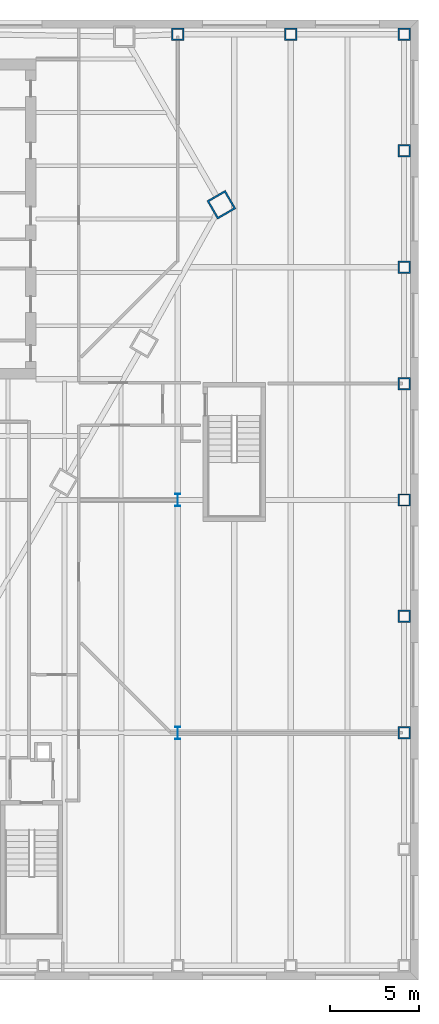
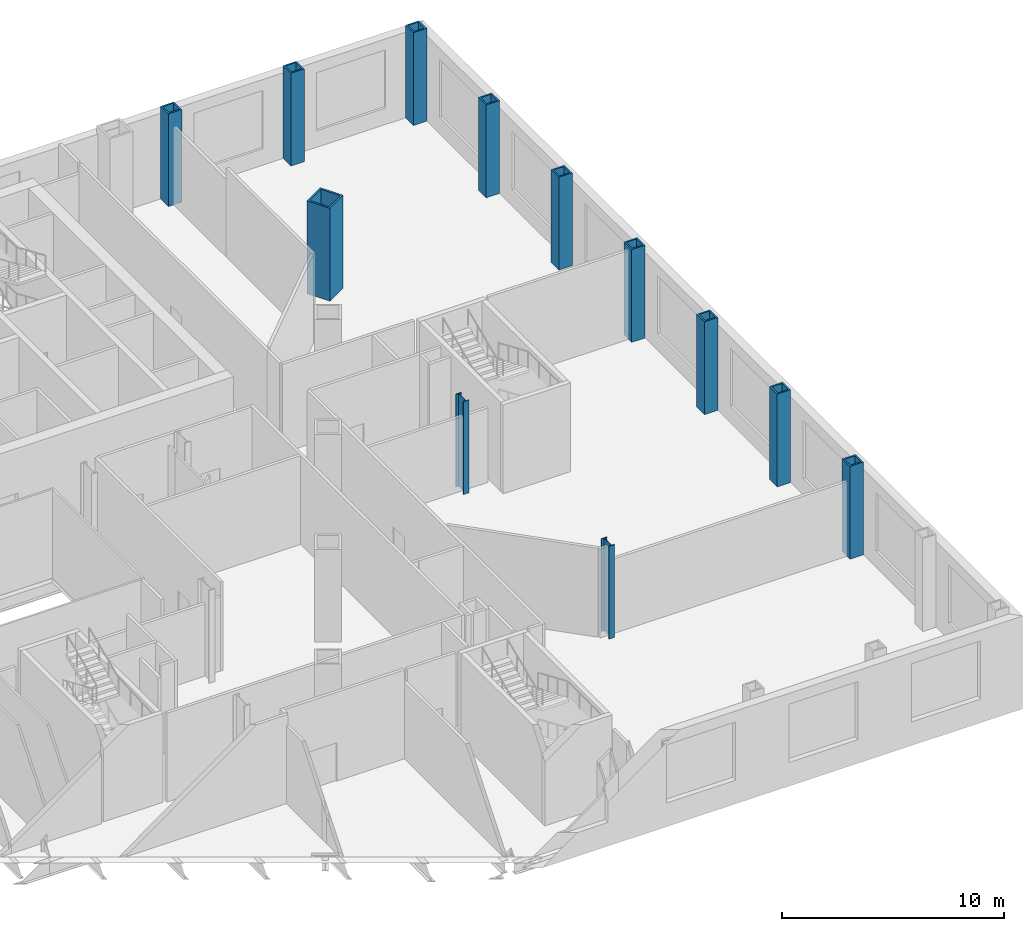
# One storey, part 3 of 20: 12 columns.
"""IFC4 building model written with IfcOpenShell, lengths in metres."""

from ifc_helpers import new_model, si_unit, direction, frame, origin, origin_2d, place, context, subcontext, project, spatial, hollow_rectangle, i_section, extrude, material, material_profile, profile_set, type_object, element, save


model = new_model("IFC4")

# Units and contexts
model_context = context("Model", 3, precision=1e-05, world=origin(), true_north=direction((0.0, 1.0)))
body_context = subcontext(model_context, "Body", "Model", "MODEL_VIEW")
ifc_project = project(units=[si_unit("LENGTHUNIT", "METRE"), si_unit("AREAUNIT", "SQUARE_METRE"), si_unit("VOLUMEUNIT", "CUBIC_METRE"), si_unit("PLANEANGLEUNIT", "RADIAN"), si_unit("MASSUNIT", "GRAM", prefix="KILO")], contexts=[model_context])

# Site, building, storey
site_placement = place(None, origin())
site = spatial("IfcSite", under=ifc_project, at=site_placement, CompositionType="ELEMENT")
building_placement = place(site_placement, origin())
building = spatial("IfcBuilding", under=site, at=building_placement, Name="Njiva Tower", CompositionType="ELEMENT")
storey_placement = place(building_placement, frame((0.0, 0.0, 18.6)))
storey = spatial("IfcBuildingStorey", under=building, at=storey_placement, Name="L03", CompositionType="ELEMENT", Elevation=18.6)

# Columns
ifc_material = material(Name="Steel S355 J2", Category="steel")
ifc_material_profile_1 = material_profile(ifc_material, hollow_rectangle(XDim=1.2, YDim=1.2, WallThickness=0.1, at=origin_2d()), Name="BOX 1200x1200x100")
ifc_profile_set_1 = profile_set([ifc_material_profile_1], Name="Steel S355 J2")
column_type_1 = type_object("IfcColumnType", Name="C1 Mega-column BOX 1200x1200x100", PredefinedType="COLUMN", material=ifc_profile_set_1)
column_placement = place(storey_placement, frame((27.923, 9.808, 0.0), z_axis=(0.0, 0.0, 1.0), x_axis=(-0.5, 0.866025403784, 0.0)))
element("IfcColumn", 1, at=column_placement, inside=storey, type_object=column_type_1, Name="Mega-column L03-C18", PredefinedType="COLUMN", context=body_context, shape_type="SweptSolid", body=[
    extrude(hollow_rectangle(XDim=1.2, YDim=1.2, WallThickness=0.1, at=origin_2d()), origin(), (0.0, 0.0, 1.0), 5.1),
])
ifc_material_profile_2 = material_profile(ifc_material, hollow_rectangle(XDim=0.7, YDim=0.7, WallThickness=0.08, at=origin_2d()), Name="BOX 700x700x80")
ifc_profile_set_2 = profile_set([ifc_material_profile_2], Name="Steel S355 J2")
column_type_2 = type_object("IfcColumnType", Name="C3 Podium perimeter column BOX 700x700x80", PredefinedType="COLUMN", material=ifc_profile_set_2)
for number, where, z_axis, x_axis, name in (
    (2, (38.2, -19.9, 0.0), (0.0, 0.0, 1.0), (0.0, 1.0, 0.0), "Podium perimeter column L03-C29"),
    (3, (38.2, -13.35, 0.0), (0.0, 0.0, 1.0), (0.0, 1.0, 0.0), "Podium perimeter column L03-C30"),
    (4, (38.2, -6.8, 0.0), (0.0, 0.0, 1.0), (0.0, 1.0, 0.0), "Podium perimeter column L03-C31"),
    (5, (38.2, -0.25, 0.0), (0.0, 0.0, 1.0), (0.0, 1.0, 0.0), "Podium perimeter column L03-C32"),
    (6, (38.2, 6.3, 0.0), (0.0, 0.0, 1.0), (0.0, 1.0, 0.0), "Podium perimeter column L03-C33"),
    (7, (38.2, 12.85, 0.0), (0.0, 0.0, 1.0), (0.0, 1.0, 0.0), "Podium perimeter column L03-C34"),
    (8, (38.2, 19.4, 0.0), (0.0, 0.0, 1.0), (-1.0, 0.0, 0.0), "Podium perimeter column L03-C35"),
    (9, (31.833, 19.4, 0.0), (0.0, 0.0, 1.0), (-1.0, 0.0, 0.0), "Podium perimeter column L03-C36"),
    (10, (25.467, 19.4, 0.0), (0.0, 0.0, 1.0), (-1.0, 0.0, 0.0), "Podium perimeter column L03-C37"),
):
    element("IfcColumn", number, at=place(storey_placement, frame(where, z_axis=z_axis, x_axis=x_axis)), inside=storey, type_object=column_type_2, Name=name, PredefinedType="COLUMN", context=body_context, shape_type="SweptSolid", body=[
        extrude(hollow_rectangle(XDim=0.7, YDim=0.7, WallThickness=0.08, at=origin_2d()), origin(), (0.0, 0.0, 1.0), 5.1),
    ])
ifc_material_profile_3 = material_profile(ifc_material, i_section(OverallWidth=0.304, OverallDepth=0.716, WebThickness=0.021, FlangeThickness=0.04, at=origin_2d()), Name="HEM 700")
ifc_profile_set_3 = profile_set([ifc_material_profile_3], Name="Steel S355 J2")
column_type_3 = type_object("IfcColumnType", Name="C4 Station column HEM 700", PredefinedType="COLUMN", material=ifc_profile_set_3)
for number, where, z_axis, x_axis, name in (
    (11, (25.467, -6.8, 0.0), (0.0, 0.0, 1.0), (1.0, 0.0, 0.0), "Station column L03-C64"),
    (12, (25.467, -19.9, 0.0), (0.0, 0.0, 1.0), (1.0, 0.0, 0.0), "Station column L03-C65"),
):
    element("IfcColumn", number, at=place(storey_placement, frame(where, z_axis=z_axis, x_axis=x_axis)), inside=storey, type_object=column_type_3, Name=name, PredefinedType="COLUMN", context=body_context, shape_type="SweptSolid", body=[
        extrude(i_section(OverallWidth=0.304, OverallDepth=0.716, WebThickness=0.021, FlangeThickness=0.04, at=origin_2d()), origin(), (0.0, 0.0, 1.0), 5.1),
    ])

save(model, "model.ifc")
